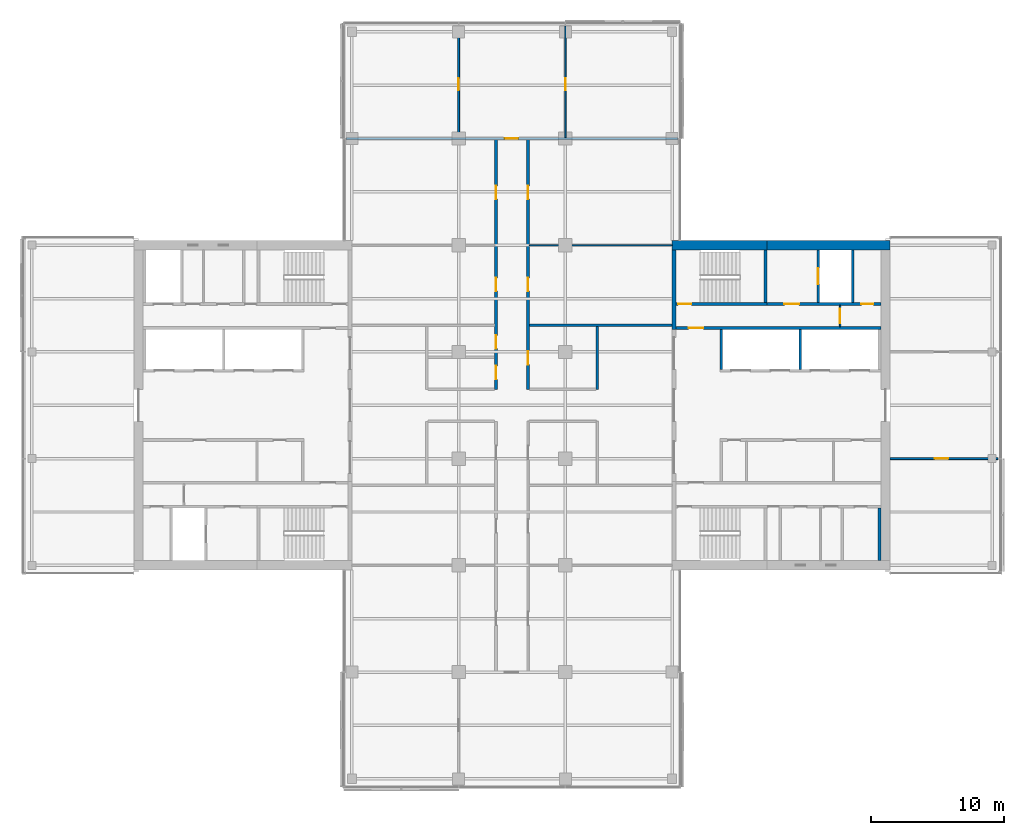
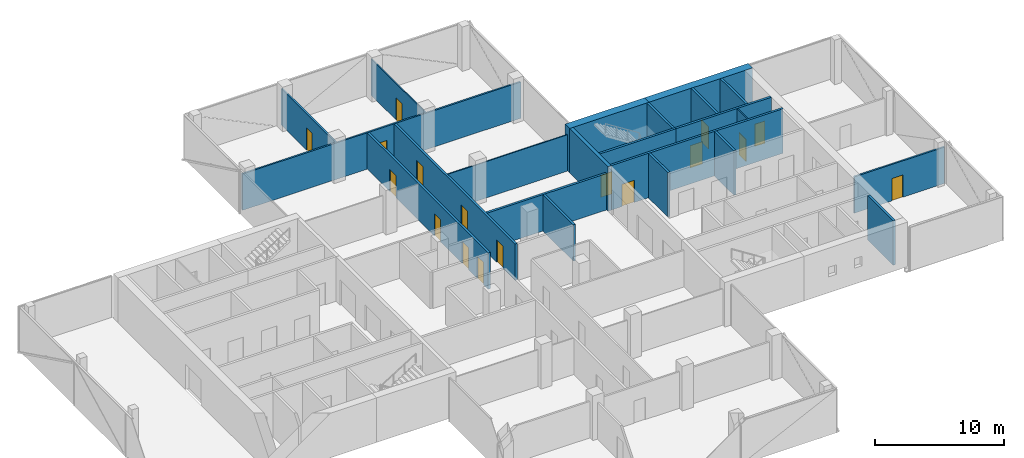
# One storey, part 16 of 22: 22 walls, 17 doors, 17 openings.
"""IFC4 building model written with IfcOpenShell, lengths in metres."""

import ifcopenshell
import ifcopenshell.guid

model = None  # the IFC model being written
_history = None  # IfcOwnerHistory: only IFC2X3 demands one
_inside = {}  # id of a spatial element -> (the spatial element, [elements in it])
_under = {}  # id of a project, library or spatial element -> (it, [spatial elements below it])
_declared = {}  # id of a project -> (the project, [libraries it declares])
_typed = {}  # id of a type object -> (the type object, [elements of that type])
_made_of = {}  # id of a material, layer set ... -> (it, [elements and type objects made of it])


def new_model(schema):
    """Start an empty IFC model of exactly this schema.

    Asked for "IFC4X3", IfcOpenShell would pick the latest addendum, in which some entities
    have other attributes; the version numbers below select the first issue.
    IFC2X3 requires an IfcOwnerHistory on every rooted entity: one is made here for all.
    """
    global model, _history
    if schema == "IFC4X3":
        model = ifcopenshell.file(schema_version=(4, 3, 0, 0))
    else:
        model = ifcopenshell.file(schema=schema)
    _inside.clear()
    _under.clear()
    _declared.clear()
    _typed.clear()
    _made_of.clear()
    _history = None
    if model.schema == "IFC2X3":
        org = make("IfcOrganization", Name="unknown")
        user = make(
            "IfcPersonAndOrganization",
            ThePerson=make("IfcPerson", FamilyName="unknown"),
            TheOrganization=org,
        )
        app = make(
            "IfcApplication",
            ApplicationDeveloper=org,
            Version="unknown",
            ApplicationFullName="unknown",
            ApplicationIdentifier="unknown",
        )
        _history = make(
            "IfcOwnerHistory",
            OwningUser=user,
            OwningApplication=app,
            ChangeAction="ADDED",
            CreationDate=0,
        )
    return model


def make(cls, **values):
    """One entity of the class cls with the attributes given. An attribute that is None is left unset."""
    return model.create_entity(
        cls, **{name: value for name, value in values.items() if value is not None}
    )


def rooted(cls, **values):
    """An entity with a GlobalId (a new one), such as an element, a storey or a relation."""
    return make(cls, GlobalId=ifcopenshell.guid.new(), OwnerHistory=_history, **values)


def si_unit(unit_type, name, prefix=None):
    """IfcSIUnit, for example si_unit("LENGTHUNIT", "METRE", prefix="MILLI")."""
    return make("IfcSIUnit", UnitType=unit_type, Prefix=prefix, Name=name)


def assignment(units):
    """IfcUnitAssignment: the units of a project."""
    return None if units is None else make("IfcUnitAssignment", Units=units)


def point(xyz):
    """IfcCartesianPoint."""
    return None if xyz is None else make("IfcCartesianPoint", Coordinates=xyz)


def direction(xyz):
    """IfcDirection."""
    return None if xyz is None else make("IfcDirection", DirectionRatios=xyz)


def frame(location, z_axis=None, x_axis=None):
    """IfcAxis2Placement3D, a coordinate frame: its origin and axes. An axis left out is left unset."""
    return make(
        "IfcAxis2Placement3D",
        Location=point(location),
        Axis=direction(z_axis),
        RefDirection=direction(x_axis),
    )


def frame_2d(location, x_axis=None):
    """IfcAxis2Placement2D, a coordinate frame in the plane: its origin and x axis."""
    return make(
        "IfcAxis2Placement2D", Location=point(location), RefDirection=direction(x_axis)
    )


def origin():
    """The frame at (0, 0, 0) with its axes left unset."""
    return frame((0.0, 0.0, 0.0))


def place(relative_to, where):
    """IfcLocalPlacement: puts the frame where relative to a parent placement (None: the world)."""
    return make(
        "IfcLocalPlacement", PlacementRelTo=relative_to, RelativePlacement=where
    )


def context(
    kind, dimensions, precision=None, world=None, true_north=None, identifier=None
):
    """IfcGeometricRepresentationContext, for example the 3D "Model" context."""
    return make(
        "IfcGeometricRepresentationContext",
        ContextIdentifier=identifier,
        ContextType=kind,
        CoordinateSpaceDimension=dimensions,
        Precision=precision,
        WorldCoordinateSystem=world,
        TrueNorth=true_north,
    )


def subcontext(parent, identifier, kind, view, scale=None):
    """IfcGeometricRepresentationSubContext, for example "Body" below "Model"."""
    return make(
        "IfcGeometricRepresentationSubContext",
        ContextIdentifier=identifier,
        ContextType=kind,
        ParentContext=parent,
        TargetScale=scale,
        TargetView=view,
    )


def project(units=None, contexts=None):
    """IfcProject with its units and contexts."""
    return rooted(
        "IfcProject",
        Name="project",
        RepresentationContexts=contexts,
        UnitsInContext=assignment(units),
    )


def spatial(cls, under=None, at=None, **own):
    """A site, building, storey or space (cls), placed at a placement, below another one or the project."""
    s = rooted(cls, ObjectPlacement=at, **own)
    if under is not None:
        _under.setdefault(under.id(), (under, []))[1].append(s)
    return s


def profile(cls, at=None, kind="AREA", **sizes):
    """A parametric profile (cls). Its sizes go by their IFC names, for example OverallWidth=200.0."""
    return make(cls, ProfileType=kind, Position=at, **sizes)


def rectangle(**sizes):
    """IfcRectangleProfileDef."""
    return profile("IfcRectangleProfileDef", **sizes)


def extrude(swept, where, along, depth):
    """IfcExtrudedAreaSolid: the profile swept, set in the frame where, extruded along a direction by depth."""
    return make(
        "IfcExtrudedAreaSolid",
        SweptArea=swept,
        Position=where,
        ExtrudedDirection=direction(along),
        Depth=depth,
    )


def shape(context_of_items, identifier, shape_type, items):
    """IfcShapeRepresentation: the items that make up one representation, for example the "Body"."""
    return make(
        "IfcShapeRepresentation",
        ContextOfItems=context_of_items,
        RepresentationIdentifier=identifier,
        RepresentationType=shape_type,
        Items=items,
    )


def material(Name=None, Category=None):
    """IfcMaterial."""
    return make("IfcMaterial", Name=Name, Category=Category)


def layer(
    of_material, thickness, ventilated=None, Name=None, Category=None, Priority=None
):
    """IfcMaterialLayer: one layer of a wall or slab, of a material (None: an air gap)."""
    return make(
        "IfcMaterialLayer",
        Material=of_material,
        LayerThickness=thickness,
        IsVentilated=ventilated,
        Name=Name,
        Category=Category,
        Priority=Priority,
    )


def layer_set(layers, Name=None):
    """IfcMaterialLayerSet."""
    return make("IfcMaterialLayerSet", MaterialLayers=layers, LayerSetName=Name)


def constituent(of_material, Name=None, Category=None, fraction=None):
    """IfcMaterialConstituent: one of the materials an element consists of."""
    return make(
        "IfcMaterialConstituent",
        Name=Name,
        Material=of_material,
        Fraction=fraction,
        Category=Category,
    )


def constituent_set(constituents=None, Name=None):
    """IfcMaterialConstituentSet."""
    return make(
        "IfcMaterialConstituentSet", Name=Name, MaterialConstituents=constituents
    )


def made_of(thing, what):
    """Note that an element or type object is made of a material, layer set ...; save() writes the relation."""
    if what is not None:
        _made_of.setdefault(what.id(), (what, []))[1].append(thing)
    return thing


def type_object(cls, material=None, **own):
    """A type object (cls), such as IfcWallType, which elements share."""
    return made_of(rooted(cls, **own), material)


def element(
    cls,
    number,
    at=None,
    inside=None,
    cuts=None,
    type_object=None,
    material=None,
    context=None,
    identifier="Body",
    shape_type=None,
    held_by="IfcProductDefinitionShape",
    body=None,
    shapes=None,
    **own,
):
    """One element of the class cls, such as IfcWall. Its Tag is "e" and its number.

    at: its placement. inside: the storey or other place that contains it. cuts: it is an
    opening in that element (IfcRelVoidsElement). A single representation is given by context,
    identifier, shape_type and body (its items); several are given by shapes. held_by: the class
    of the entity that holds the representations. save() writes the other relations.
    """
    e = rooted(cls, Tag="e%d" % number, ObjectPlacement=at, **own)
    if body is not None:
        shapes = [shape(context, identifier, shape_type, body)]
    if shapes is not None:
        e.Representation = make(held_by, Representations=shapes)
    if inside is not None:
        _inside.setdefault(inside.id(), (inside, []))[1].append(e)
    if cuts is not None:
        rooted(
            "IfcRelVoidsElement", RelatingBuildingElement=cuts, RelatedOpeningElement=e
        )
    if type_object is not None:
        _typed.setdefault(type_object.id(), (type_object, []))[1].append(e)
    return made_of(e, material)


def fill(opening, filler):
    """IfcRelFillsElement: the door or window that sits in an opening."""
    return rooted(
        "IfcRelFillsElement",
        RelatingOpeningElement=opening,
        RelatedBuildingElement=filler,
    )


def aggregate(whole, parts):
    """IfcRelAggregates: a whole, such as a stair, and the parts it consists of."""
    return rooted("IfcRelAggregates", RelatingObject=whole, RelatedObjects=parts)


def save(model, path):
    """Write the relations noted so far, then the file.

    IfcRelAggregates (storeys below a building ...), IfcRelContainedInSpatialStructure (elements
    in a storey), IfcRelDefinesByType, IfcRelAssociatesMaterial and IfcRelDeclares: one each for
    every whole, place, type object, material and project.
    """
    for whole, parts in _under.values():
        aggregate(whole, parts)
    for where, things in _inside.values():
        rooted(
            "IfcRelContainedInSpatialStructure",
            RelatedElements=things,
            RelatingStructure=where,
        )
    for kind, things in _typed.values():
        rooted("IfcRelDefinesByType", RelatedObjects=things, RelatingType=kind)
    for what, things in _made_of.values():
        rooted("IfcRelAssociatesMaterial", RelatedObjects=things, RelatingMaterial=what)
    for by, libraries in _declared.values():
        rooted("IfcRelDeclares", RelatingContext=by, RelatedDefinitions=libraries)
    model.write(path)


model = new_model("IFC4")

# Units and contexts
model_context = context("Model", 3, precision=1e-05, world=origin(), true_north=direction((0.0, 1.0)))
body_context = subcontext(model_context, "Body", "Model", "MODEL_VIEW")
ifc_project = project(units=[si_unit("LENGTHUNIT", "METRE"), si_unit("AREAUNIT", "SQUARE_METRE"), si_unit("VOLUMEUNIT", "CUBIC_METRE"), si_unit("PLANEANGLEUNIT", "RADIAN"), si_unit("MASSUNIT", "GRAM", prefix="KILO")], contexts=[model_context])

# Site, building, storey
site_placement = place(None, origin())
site = spatial("IfcSite", under=ifc_project, at=site_placement, CompositionType="ELEMENT")
building_placement = place(site_placement, origin())
building = spatial("IfcBuilding", under=site, at=building_placement, Name="Crosswind Convention Tower", CompositionType="ELEMENT")
storey_placement = place(building_placement, frame((0.0, 0.0, 133.699951171875)))
storey = spatial("IfcBuildingStorey", under=building, at=storey_placement, Name="L27", CompositionType="ELEMENT", Elevation=133.699951171875)

# Wall, openings, doors
ifc_material_1 = material(Name="Concrete blockwork", Category="masonry")
ifc_layer_1 = layer(ifc_material_1, 0.199951171875)
ifc_layer_set_1 = layer_set([ifc_layer_1], Name="COMPARTMENT WALL 200 BLOCKWORK")
wall_type_1 = type_object("IfcWallType", Name="COMPARTMENT WALL 200 BLOCKWORK", PredefinedType="SOLIDWALL", material=ifc_layer_set_1)
wall_1_placement = place(storey_placement, frame((123.800048828125, 101.199951171875, 0.0), z_axis=(0.0, 0.0, 1.0), x_axis=(0.0, 1.0, 0.0)))
wall_1 = element("IfcWall", 1, at=wall_1_placement, inside=storey, type_object=wall_type_1, Name="Compartment wall WT42", PredefinedType="SOLIDWALL", context=body_context, shape_type="SweptSolid", body=[
    extrude(rectangle(XDim=18.72509765625, YDim=0.199951171875, at=frame_2d((9.362548828125, 0.0))), origin(), (0.0, 0.0, 1.0), 3.4365234375),
])
opening_1_placement = place(wall_1_placement, frame((0.75, 0.0, 0.0)))
opening_1 = element("IfcOpeningElement", 2, at=opening_1_placement, cuts=wall_1, Name="Opening L27-56", PredefinedType="OPENING", context=body_context, shape_type="SweptSolid", body=[
    extrude(rectangle(XDim=1.0, YDim=2.10009765625, at=frame_2d((0.5, 1.050048828125))), frame((0.0, 0.10986328125, 0.0), z_axis=(0.0, -1.0, 0.0), x_axis=(1.0, 0.0, 0.0)), (0.0, 0.0, 1.0), 0.219970703125),
])
opening_2_placement = place(wall_1_placement, frame((3.050048828125, 0.0, 0.0)))
opening_2 = element("IfcOpeningElement", 3, at=opening_2_placement, cuts=wall_1, Name="Opening L27-57", PredefinedType="OPENING", context=body_context, shape_type="SweptSolid", body=[
    extrude(rectangle(XDim=1.0, YDim=2.10009765625, at=frame_2d((0.5, 1.050048828125))), frame((0.0, 0.10986328125, 0.0), z_axis=(0.0, -1.0, 0.0), x_axis=(1.0, 0.0, 0.0)), (0.0, 0.0, 1.0), 0.219970703125),
])
opening_3_placement = place(wall_1_placement, frame((7.35009765625, 0.0, 0.0)))
opening_3 = element("IfcOpeningElement", 4, at=opening_3_placement, cuts=wall_1, Name="Opening L27-58", PredefinedType="OPENING", context=body_context, shape_type="SweptSolid", body=[
    extrude(rectangle(XDim=1.0, YDim=2.10009765625, at=frame_2d((0.5, 1.050048828125))), frame((0.0, 0.10986328125, 0.0), z_axis=(0.0, -1.0, 0.0), x_axis=(1.0, 0.0, 0.0)), (0.0, 0.0, 1.0), 0.219970703125),
])
opening_4_placement = place(wall_1_placement, frame((14.25, 0.0, 0.0)))
opening_4 = element("IfcOpeningElement", 5, at=opening_4_placement, cuts=wall_1, Name="Opening L27-59", PredefinedType="OPENING", context=body_context, shape_type="SweptSolid", body=[
    extrude(rectangle(XDim=1.0, YDim=2.10009765625, at=frame_2d((0.5, 1.050048828125))), frame((0.0, 0.10986328125, 0.0), z_axis=(0.0, -1.0, 0.0), x_axis=(1.0, 0.0, 0.0)), (0.0, 0.0, 1.0), 0.219970703125),
])
ifc_material_2 = material(Name="Steel fire door", Category="steel")
door_type_1 = type_object("IfcDoorType", Name="PLANT ROOM DOOR 1000X2100 FD60", OperationType="NOTDEFINED", PredefinedType="DOOR", material=ifc_material_2)
door_1_placement = place(opening_1_placement, origin())
door_1 = element("IfcDoor", 6, at=door_1_placement, inside=storey, type_object=door_type_1, Name="Door L27-56", ObjectType="D43", OperationType="SINGLE_SWING_RIGHT", OverallHeight=2.10009765625, OverallWidth=1.0, PredefinedType="DOOR", context=body_context, shape_type="SweptSolid", body=[
    extrude(rectangle(XDim=1.0, YDim=2.10009765625, at=frame_2d((0.5, 1.050048828125))), frame((0.0, 0.02490234375, 0.0), z_axis=(0.0, -1.0, 0.0), x_axis=(1.0, 0.0, 0.0)), (0.0, 0.0, 1.0), 0.050048828125),
])
fill(opening_1, door_1)
ifc_material_3 = material(Name="Timber fire door", Category="wood")
door_type_2 = type_object("IfcDoorType", Name="TENANCY ENTRANCE DOOR 1000X2100 FD30S", OperationType="NOTDEFINED", PredefinedType="DOOR", material=ifc_material_3)
door_2_placement = place(opening_2_placement, origin())
door_2 = element("IfcDoor", 7, at=door_2_placement, inside=storey, type_object=door_type_2, Name="Door L27-57", ObjectType="D41", OperationType="SINGLE_SWING_LEFT", OverallHeight=2.10009765625, OverallWidth=1.0, PredefinedType="DOOR", context=body_context, shape_type="SweptSolid", body=[
    extrude(rectangle(XDim=1.0, YDim=2.10009765625, at=frame_2d((0.5, 1.050048828125))), frame((0.0, 0.02490234375, 0.0), z_axis=(0.0, -1.0, 0.0), x_axis=(1.0, 0.0, 0.0)), (0.0, 0.0, 1.0), 0.050048828125),
])
fill(opening_2, door_2)
door_3_placement = place(opening_3_placement, origin())
door_3 = element("IfcDoor", 8, at=door_3_placement, inside=storey, type_object=door_type_2, Name="Door L27-58", ObjectType="D41", OperationType="SINGLE_SWING_RIGHT", OverallHeight=2.10009765625, OverallWidth=1.0, PredefinedType="DOOR", context=body_context, shape_type="SweptSolid", body=[
    extrude(rectangle(XDim=1.0, YDim=2.10009765625, at=frame_2d((0.5, 1.050048828125))), frame((0.0, 0.02490234375, 0.0), z_axis=(0.0, -1.0, 0.0), x_axis=(1.0, 0.0, 0.0)), (0.0, 0.0, 1.0), 0.050048828125),
])
fill(opening_3, door_3)
door_4_placement = place(opening_4_placement, origin())
door_4 = element("IfcDoor", 9, at=door_4_placement, inside=storey, type_object=door_type_2, Name="Door L27-59", ObjectType="D41", OperationType="SINGLE_SWING_LEFT", OverallHeight=2.10009765625, OverallWidth=1.0, PredefinedType="DOOR", context=body_context, shape_type="SweptSolid", body=[
    extrude(rectangle(XDim=1.0, YDim=2.10009765625, at=frame_2d((0.5, 1.050048828125))), frame((0.0, 0.02490234375, 0.0), z_axis=(0.0, -1.0, 0.0), x_axis=(1.0, 0.0, 0.0)), (0.0, 0.0, 1.0), 0.050048828125),
])
fill(opening_4, door_4)

wall_2_placement = place(storey_placement, frame((126.199951171875, 101.199951171875, 0.0), z_axis=(0.0, 0.0, 1.0), x_axis=(0.0, 1.0, 0.0)))
wall_2 = element("IfcWall", 10, at=wall_2_placement, inside=storey, type_object=wall_type_1, Name="Compartment wall WT42", PredefinedType="SOLIDWALL", context=body_context, shape_type="SweptSolid", body=[
    extrude(rectangle(XDim=18.72509765625, YDim=0.199951171875, at=frame_2d((9.362548828125, 0.0))), origin(), (0.0, 0.0, 1.0), 3.4365234375),
])
opening_5_placement = place(wall_2_placement, frame((1.85009765625, 0.0, 0.0)))
opening_5 = element("IfcOpeningElement", 11, at=opening_5_placement, cuts=wall_2, Name="Opening L27-50", PredefinedType="OPENING", context=body_context, shape_type="SweptSolid", body=[
    extrude(rectangle(XDim=1.0, YDim=2.10009765625, at=frame_2d((0.5, 1.050048828125))), frame((0.0, 0.10986328125, 0.0), z_axis=(0.0, -1.0, 0.0), x_axis=(1.0, 0.0, 0.0)), (0.0, 0.0, 1.0), 0.219970703125),
])
opening_6_placement = place(wall_2_placement, frame((7.35009765625, 0.0, 0.0)))
opening_6 = element("IfcOpeningElement", 12, at=opening_6_placement, cuts=wall_2, Name="Opening L27-51", PredefinedType="OPENING", context=body_context, shape_type="SweptSolid", body=[
    extrude(rectangle(XDim=1.0, YDim=2.10009765625, at=frame_2d((0.5, 1.050048828125))), frame((0.0, 0.10986328125, 0.0), z_axis=(0.0, -1.0, 0.0), x_axis=(1.0, 0.0, 0.0)), (0.0, 0.0, 1.0), 0.219970703125),
])
opening_7_placement = place(wall_2_placement, frame((14.25, 0.0, 0.0)))
opening_7 = element("IfcOpeningElement", 13, at=opening_7_placement, cuts=wall_2, Name="Opening L27-52", PredefinedType="OPENING", context=body_context, shape_type="SweptSolid", body=[
    extrude(rectangle(XDim=1.0, YDim=2.10009765625, at=frame_2d((0.5, 1.050048828125))), frame((0.0, 0.10986328125, 0.0), z_axis=(0.0, -1.0, 0.0), x_axis=(1.0, 0.0, 0.0)), (0.0, 0.0, 1.0), 0.219970703125),
])
door_5_placement = place(opening_5_placement, frame((1.0, 0.0, 0.0), z_axis=(0.0, 0.0, 1.0), x_axis=(-1.0, 0.0, 0.0)))
door_5 = element("IfcDoor", 14, at=door_5_placement, inside=storey, type_object=door_type_1, Name="Door L27-50", ObjectType="D43", OperationType="SINGLE_SWING_RIGHT", OverallHeight=2.10009765625, OverallWidth=1.0, PredefinedType="DOOR", context=body_context, shape_type="SweptSolid", body=[
    extrude(rectangle(XDim=1.0, YDim=2.10009765625, at=frame_2d((0.5, 1.050048828125))), frame((0.0, 0.02490234375, 0.0), z_axis=(0.0, -1.0, 0.0), x_axis=(1.0, 0.0, 0.0)), (0.0, 0.0, 1.0), 0.050048828125),
])
fill(opening_5, door_5)
door_6_placement = place(opening_6_placement, origin())
door_6 = element("IfcDoor", 15, at=door_6_placement, inside=storey, type_object=door_type_2, Name="Door L27-51", ObjectType="D41", OperationType="SINGLE_SWING_RIGHT", OverallHeight=2.10009765625, OverallWidth=1.0, PredefinedType="DOOR", context=body_context, shape_type="SweptSolid", body=[
    extrude(rectangle(XDim=1.0, YDim=2.10009765625, at=frame_2d((0.5, 1.050048828125))), frame((0.0, 0.02490234375, 0.0), z_axis=(0.0, -1.0, 0.0), x_axis=(1.0, 0.0, 0.0)), (0.0, 0.0, 1.0), 0.050048828125),
])
fill(opening_6, door_6)
door_7_placement = place(opening_7_placement, frame((1.0, 0.0, 0.0), z_axis=(0.0, 0.0, 1.0), x_axis=(-1.0, 0.0, 0.0)))
door_7 = element("IfcDoor", 16, at=door_7_placement, inside=storey, type_object=door_type_2, Name="Door L27-52", ObjectType="D41", OperationType="SINGLE_SWING_RIGHT", OverallHeight=2.10009765625, OverallWidth=1.0, PredefinedType="DOOR", context=body_context, shape_type="SweptSolid", body=[
    extrude(rectangle(XDim=1.0, YDim=2.10009765625, at=frame_2d((0.5, 1.050048828125))), frame((0.0, 0.02490234375, 0.0), z_axis=(0.0, -1.0, 0.0), x_axis=(1.0, 0.0, 0.0)), (0.0, 0.0, 1.0), 0.050048828125),
])
fill(opening_7, door_7)

# Walls
wall_3_placement = place(storey_placement, frame((131.39990234375, 101.199951171875, 0.0), z_axis=(0.0, 0.0, 1.0), x_axis=(0.0, 1.0, 0.0)))
element("IfcWall", 17, at=wall_3_placement, inside=storey, type_object=wall_type_1, Name="Compartment wall WT42", PredefinedType="SOLIDWALL", context=body_context, shape_type="SweptSolid", body=[
    extrude(rectangle(XDim=4.699951171875, YDim=0.199951171875, at=frame_2d((2.35009765625, 0.0))), origin(), (0.0, 0.0, 1.0), 3.4365234375),
])
wall_4_placement = place(storey_placement, frame((126.300048828125, 106.0, 0.0), z_axis=(0.0, 0.0, 1.0), x_axis=(1.0, 0.0, 0.0)))
element("IfcWall", 18, at=wall_4_placement, inside=storey, type_object=wall_type_1, Name="Compartment wall WT42", PredefinedType="SOLIDWALL", context=body_context, shape_type="SweptSolid", body=[
    extrude(rectangle(XDim=10.699951171875, YDim=0.199951171875, at=frame_2d((5.35009765625, 0.0))), origin(), (0.0, 0.0, 1.0), 3.4365234375),
])
ifc_material_4 = material(Name="Concrete C50/60", Category="concrete")
ifc_layer_2 = layer(ifc_material_4, 0.300048828125)
ifc_layer_set_2 = layer_set([ifc_layer_2], Name="Concrete C50/60")
wall_type_2 = type_object("IfcWallType", Name="Concrete inner core wall 300", PredefinedType="SHEAR", material=ifc_layer_set_2)
wall_5_placement = place(storey_placement, frame((137.14990234375, 105.699951171875, 0.0), z_axis=(0.0, 0.0, 1.0), x_axis=(0.0, 1.0, 0.0)))
element("IfcWall", 19, at=wall_5_placement, inside=storey, type_object=wall_type_2, Name="Wall EP E L27", PredefinedType="SHEAR", context=body_context, shape_type="SweptSolid", body=[
    extrude(rectangle(XDim=5.949951171875, YDim=0.300048828125, at=frame_2d((2.97509765625, 0.0))), origin(), (0.0, 0.0, 1.0), 4.199951171875),
])
ifc_layer_3 = layer(ifc_material_4, 0.199951171875)
ifc_layer_set_3 = layer_set([ifc_layer_3], Name="Concrete C50/60")
wall_type_3 = type_object("IfcWallType", Name="Concrete shaft and stair wall 200", PredefinedType="SHEAR", material=ifc_layer_set_3)
for number, where, z_axis, x_axis, name in (
    (20, (140.699951171875, 102.699951171875, 0.0), (0.0, 0.0, 1.0), (0.0, 1.0, 0.0), "Wall RPEND E L27"),
    (21, (146.60009765625, 102.699951171875, 0.0), (0.0, 0.0, 1.0), (0.0, 1.0, 0.0), "Wall RPSEP E L27"),
):
    element("IfcWall", number, at=place(storey_placement, frame(where, z_axis=z_axis, x_axis=x_axis)), inside=storey, type_object=wall_type_3, Name=name, PredefinedType="SHEAR", context=body_context, shape_type="SweptSolid", body=[
        extrude(rectangle(XDim=3.0, YDim=0.199951171875, at=frame_2d((1.5, 0.0))), origin(), (0.0, 0.0, 1.0), 4.199951171875),
    ])

# Wall, opening, door
wall_6_placement = place(storey_placement, frame((137.300048828125, 105.800048828125, 0.0), z_axis=(0.0, 0.0, 1.0), x_axis=(1.0, 0.0, 0.0)))
wall_6 = element("IfcWall", 22, at=wall_6_placement, inside=storey, type_object=wall_type_3, Name="Wall HP E L27", PredefinedType="SHEAR", context=body_context, shape_type="SweptSolid", body=[
    extrude(rectangle(XDim=15.349853515625, YDim=0.199951171875, at=frame_2d((7.6748046875, 0.0))), origin(), (0.0, 0.0, 1.0), 4.199951171875),
])
opening_8_placement = place(wall_6_placement, frame((0.949951171875, 0.0, 0.0)))
opening_8 = element("IfcOpeningElement", 23, at=opening_8_placement, cuts=wall_6, Name="Opening D104", PredefinedType="OPENING", context=body_context, shape_type="SweptSolid", body=[
    extrude(rectangle(XDim=1.10009765625, YDim=2.10009765625, at=frame_2d((0.550048828125, 1.050048828125))), frame((0.0, 0.10986328125, 0.0), z_axis=(0.0, -1.0, 0.0), x_axis=(1.0, 0.0, 0.0)), (0.0, 0.0, 1.0), 0.219970703125),
])
door_type_3 = type_object("IfcDoorType", Name="Fire-rated single door 1100x2100", OperationType="NOTDEFINED", PredefinedType="DOOR", material=ifc_material_2)
door_8_placement = place(opening_8_placement, origin())
door_8 = element("IfcDoor", 24, at=door_8_placement, inside=storey, type_object=door_type_3, Name="Corridor door L27", ObjectType="D104", OperationType="SINGLE_SWING_LEFT", OverallHeight=2.10009765625, OverallWidth=1.10009765625, PredefinedType="DOOR", context=body_context, shape_type="SweptSolid", body=[
    extrude(rectangle(XDim=1.10009765625, YDim=2.10009765625, at=frame_2d((0.550048828125, 1.050048828125))), frame((0.0, 0.02490234375, 0.0), z_axis=(0.0, -1.0, 0.0), x_axis=(1.0, 0.0, 0.0)), (0.0, 0.0, 1.0), 0.050048828125),
])
fill(opening_8, door_8)

# Wall
wall_7_placement = place(storey_placement, frame((144.0, 107.699951171875, 0.0), z_axis=(0.0, 0.0, 1.0), x_axis=(0.0, 1.0, 0.0)))
element("IfcWall", 25, at=wall_7_placement, inside=storey, type_object=wall_type_3, Name="Wall PSE E L27", PredefinedType="SHEAR", context=body_context, shape_type="SweptSolid", body=[
    extrude(rectangle(XDim=3.949951171875, YDim=0.199951171875, at=frame_2d((1.97509765625, 0.0))), origin(), (0.0, 0.0, 1.0), 4.199951171875),
])

# Wall, opening, door
wall_8_placement = place(storey_placement, frame((147.949951171875, 107.699951171875, 0.0), z_axis=(0.0, 0.0, 1.0), x_axis=(0.0, 1.0, 0.0)))
wall_8 = element("IfcWall", 26, at=wall_8_placement, inside=storey, type_object=wall_type_3, Name="Wall PFLW E L27", PredefinedType="SHEAR", context=body_context, shape_type="SweptSolid", body=[
    extrude(rectangle(XDim=3.949951171875, YDim=0.199951171875, at=frame_2d((1.97509765625, 0.0))), origin(), (0.0, 0.0, 1.0), 4.199951171875),
])
opening_9_placement = place(wall_8_placement, frame((1.375, 0.0, 0.0)))
opening_9 = element("IfcOpeningElement", 27, at=opening_9_placement, cuts=wall_8, Name="Opening LD1", PredefinedType="OPENING", context=body_context, shape_type="SweptSolid", body=[
    extrude(rectangle(XDim=1.199951171875, YDim=2.10009765625, at=frame_2d((0.60009765625, 1.050048828125))), frame((0.0, 0.10986328125, 0.0), z_axis=(0.0, -1.0, 0.0), x_axis=(1.0, 0.0, 0.0)), (0.0, 0.0, 1.0), 0.219970703125),
])
ifc_material_5 = material(Name="Stainless steel", Category="steel")
door_type_4 = type_object("IfcDoorType", Name="Lift landing door 1200x2100", OperationType="DOUBLE_DOOR_SLIDING", PredefinedType="DOOR", material=ifc_material_5)
door_9_placement = place(opening_9_placement, origin())
door_9 = element("IfcDoor", 28, at=door_9_placement, inside=storey, type_object=door_type_4, Name="Landing door FF1 L27", ObjectType="LD1", OperationType="DOUBLE_DOOR_SLIDING", OverallHeight=2.10009765625, OverallWidth=1.199951171875, PredefinedType="DOOR", context=body_context, shape_type="SweptSolid", body=[
    extrude(rectangle(XDim=1.199951171875, YDim=2.10009765625, at=frame_2d((0.60009765625, 1.050048828125))), frame((0.0, 0.02490234375, 0.0), z_axis=(0.0, -1.0, 0.0), x_axis=(1.0, 0.0, 0.0)), (0.0, 0.0, 1.0), 0.050048828125),
])
fill(opening_9, door_9)

# Wall
wall_9_placement = place(storey_placement, frame((150.550048828125, 107.699951171875, 0.0), z_axis=(0.0, 0.0, 1.0), x_axis=(0.0, 1.0, 0.0)))
element("IfcWall", 29, at=wall_9_placement, inside=storey, type_object=wall_type_3, Name="Wall PFSE E L27", PredefinedType="SHEAR", context=body_context, shape_type="SweptSolid", body=[
    extrude(rectangle(XDim=3.949951171875, YDim=0.199951171875, at=frame_2d((1.97509765625, 0.0))), origin(), (0.0, 0.0, 1.0), 4.199951171875),
])

# Wall, opening, door
wall_10_placement = place(storey_placement, frame((137.300048828125, 107.60009765625, 0.0), z_axis=(0.0, 0.0, 1.0), x_axis=(1.0, 0.0, 0.0)))
wall_10 = element("IfcWall", 30, at=wall_10_placement, inside=storey, type_object=wall_type_3, Name="Wall PCW E L27", PredefinedType="SHEAR", context=body_context, shape_type="SweptSolid", body=[
    extrude(rectangle(XDim=6.800048828125, YDim=0.199951171875, at=frame_2d((3.39990234375, 0.0))), origin(), (0.0, 0.0, 1.0), 4.199951171875),
])
opening_10_placement = place(wall_10_placement, frame((0.14990234375, 0.0, 0.0)))
opening_10 = element("IfcOpeningElement", 31, at=opening_10_placement, cuts=wall_10, Name="Opening D103", PredefinedType="OPENING", context=body_context, shape_type="SweptSolid", body=[
    extrude(rectangle(XDim=1.0, YDim=2.10009765625, at=frame_2d((0.5, 1.050048828125))), frame((0.0, 0.10986328125, 0.0), z_axis=(0.0, -1.0, 0.0), x_axis=(1.0, 0.0, 0.0)), (0.0, 0.0, 1.0), 0.219970703125),
])
door_type_5 = type_object("IfcDoorType", Name="Fire-rated single door 1000x2100", OperationType="NOTDEFINED", PredefinedType="DOOR", material=ifc_material_2)
door_10_placement = place(opening_10_placement, origin())
door_10 = element("IfcDoor", 32, at=door_10_placement, inside=storey, type_object=door_type_5, Name="Stair ST1 door L27", ObjectType="D103", OperationType="SINGLE_SWING_LEFT", OverallHeight=2.10009765625, OverallWidth=1.0, PredefinedType="DOOR", context=body_context, shape_type="SweptSolid", body=[
    extrude(rectangle(XDim=1.0, YDim=2.10009765625, at=frame_2d((0.5, 1.050048828125))), frame((0.0, 0.02490234375, 0.0), z_axis=(0.0, -1.0, 0.0), x_axis=(1.0, 0.0, 0.0)), (0.0, 0.0, 1.0), 0.050048828125),
])
fill(opening_10, door_10)

# Wall, openings, doors
wall_11_placement = place(storey_placement, frame((144.10009765625, 107.60009765625, 0.0), z_axis=(0.0, 0.0, 1.0), x_axis=(1.0, 0.0, 0.0)))
wall_11 = element("IfcWall", 33, at=wall_11_placement, inside=storey, type_object=wall_type_3, Name="Wall PCX E L27", PredefinedType="SHEAR", context=body_context, shape_type="SweptSolid", body=[
    extrude(rectangle(XDim=8.5498046875, YDim=0.199951171875, at=frame_2d((4.27490234375, 0.0))), origin(), (0.0, 0.0, 1.0), 4.199951171875),
])
opening_11_placement = place(wall_11_placement, frame((1.324951171875, 0.0, 0.0)))
opening_11 = element("IfcOpeningElement", 34, at=opening_11_placement, cuts=wall_11, Name="Opening D104", PredefinedType="OPENING", context=body_context, shape_type="SweptSolid", body=[
    extrude(rectangle(XDim=1.10009765625, YDim=2.10009765625, at=frame_2d((0.550048828125, 1.050048828125))), frame((0.0, 0.10986328125, 0.0), z_axis=(0.0, -1.0, 0.0), x_axis=(1.0, 0.0, 0.0)), (0.0, 0.0, 1.0), 0.219970703125),
])
opening_12_placement = place(wall_11_placement, frame((7.10009765625, 0.0, 0.0)))
opening_12 = element("IfcOpeningElement", 35, at=opening_12_placement, cuts=wall_11, Name="Opening D106", PredefinedType="OPENING", context=body_context, shape_type="SweptSolid", body=[
    extrude(rectangle(XDim=0.89990234375, YDim=2.10009765625, at=frame_2d((0.449951171875, 1.050048828125))), frame((0.0, 0.10986328125, 0.0), z_axis=(0.0, -1.0, 0.0), x_axis=(1.0, 0.0, 0.0)), (0.0, 0.0, 1.0), 0.219970703125),
])
door_11_placement = place(opening_11_placement, origin())
door_11 = element("IfcDoor", 36, at=door_11_placement, inside=storey, type_object=door_type_3, Name="Fire-fighting lobby FF1 door L27", ObjectType="D104", OperationType="SINGLE_SWING_RIGHT", OverallHeight=2.10009765625, OverallWidth=1.10009765625, PredefinedType="DOOR", context=body_context, shape_type="SweptSolid", body=[
    extrude(rectangle(XDim=1.10009765625, YDim=2.10009765625, at=frame_2d((0.550048828125, 1.050048828125))), frame((0.0, 0.02490234375, 0.0), z_axis=(0.0, -1.0, 0.0), x_axis=(1.0, 0.0, 0.0)), (0.0, 0.0, 1.0), 0.050048828125),
])
fill(opening_11, door_11)
ifc_material_6 = material(Name="Timber door", Category="wood")
door_type_6 = type_object("IfcDoorType", Name="Single leaf door 900x2100", OperationType="NOTDEFINED", PredefinedType="DOOR", material=ifc_material_6)
door_12_placement = place(opening_12_placement, origin())
door_12 = element("IfcDoor", 37, at=door_12_placement, inside=storey, type_object=door_type_6, Name="Door to telecoms room L27", ObjectType="D106", OperationType="SINGLE_SWING_RIGHT", OverallHeight=2.10009765625, OverallWidth=0.89990234375, PredefinedType="DOOR", context=body_context, shape_type="SweptSolid", body=[
    extrude(rectangle(XDim=0.89990234375, YDim=2.10009765625, at=frame_2d((0.449951171875, 1.050048828125))), frame((0.0, 0.02490234375, 0.0), z_axis=(0.0, -1.0, 0.0), x_axis=(1.0, 0.0, 0.0)), (0.0, 0.0, 1.0), 0.050048828125),
])
fill(opening_12, door_12)

# Wall
wall_12_placement = place(storey_placement, frame((152.550048828125, 88.35009765625, 0.0), z_axis=(0.0, 0.0, 1.0), x_axis=(0.0, 1.0, 0.0)))
element("IfcWall", 38, at=wall_12_placement, inside=storey, type_object=wall_type_3, Name="Wall MFSE E L27", PredefinedType="SHEAR", context=body_context, shape_type="SweptSolid", body=[
    extrude(rectangle(XDim=3.949951171875, YDim=0.199951171875, at=frame_2d((1.97509765625, 0.0))), origin(), (0.0, 0.0, 1.0), 4.199951171875),
])

# Wall, opening, door
ifc_material_7 = material(Name="Gypsum plasterboard partition", Category="gypsum")
ifc_layer_4 = layer(ifc_material_7, 0.125)
ifc_layer_set_4 = layer_set([ifc_layer_4], Name="Drywall partition wall 125")
wall_type_4 = type_object("IfcWallType", Name="Drywall partition wall 125", PredefinedType="PARTITIONING", material=ifc_layer_set_4)
wall_13_placement = place(storey_placement, frame((149.60009765625, 105.89990234375, 0.0), z_axis=(0.0, 0.0, 1.0), x_axis=(0.0, 1.0, 0.0)))
wall_13 = element("IfcWall", 39, at=wall_13_placement, inside=storey, type_object=wall_type_4, Name="Wall PXC1 E L27", PredefinedType="PARTITIONING", context=body_context, shape_type="SweptSolid", body=[
    extrude(rectangle(XDim=1.60009765625, YDim=0.125, at=frame_2d((0.800048828125, 0.0))), origin(), (0.0, 0.0, 1.0), 4.199951171875),
])
opening_13_placement = place(wall_13_placement, frame((0.25, 0.0, 0.0)))
opening_13 = element("IfcOpeningElement", 40, at=opening_13_placement, cuts=wall_13, Name="Opening D104", PredefinedType="OPENING", context=body_context, shape_type="SweptSolid", body=[
    extrude(rectangle(XDim=1.10009765625, YDim=2.10009765625, at=frame_2d((0.550048828125, 1.050048828125))), frame((0.0, 0.072509765625, 0.0), z_axis=(0.0, -1.0, 0.0), x_axis=(1.0, 0.0, 0.0)), (0.0, 0.0, 1.0), 0.14501953125),
])
door_13_placement = place(opening_13_placement, origin())
door_13 = element("IfcDoor", 41, at=door_13_placement, inside=storey, type_object=door_type_3, Name="Corridor smoke door L27", ObjectType="D104", OperationType="SINGLE_SWING_RIGHT", OverallHeight=2.10009765625, OverallWidth=1.10009765625, PredefinedType="DOOR", context=body_context, shape_type="SweptSolid", body=[
    extrude(rectangle(XDim=1.10009765625, YDim=2.10009765625, at=frame_2d((0.550048828125, 1.050048828125))), frame((0.0, 0.02490234375, 0.0), z_axis=(0.0, -1.0, 0.0), x_axis=(1.0, 0.0, 0.0)), (0.0, 0.0, 1.0), 0.050048828125),
])
fill(opening_13, door_13)

ifc_material_8 = material(Name="Plasterboard partition", Category="gypsum")
ifc_layer_5 = layer(ifc_material_8, 0.10009765625)
ifc_layer_set_5 = layer_set([ifc_layer_5], Name="PARTITION 100 METAL STUD")
wall_type_5 = type_object("IfcWallType", Name="PARTITION 100 METAL STUD", PredefinedType="PARTITIONING", material=ifc_layer_set_5)
wall_14_placement = place(storey_placement, frame((129.0, 120.074951171875, 0.0), z_axis=(0.0, 0.0, 1.0), x_axis=(0.0, 1.0, 0.0)))
wall_14 = element("IfcWall", 42, at=wall_14_placement, inside=storey, type_object=wall_type_5, Name="Partition wall WT40", PredefinedType="PARTITIONING", context=body_context, shape_type="SweptSolid", body=[
    extrude(rectangle(XDim=8.344970703125, YDim=0.10009765625, at=frame_2d((4.17236328125, 0.0))), origin(), (0.0, 0.0, 1.0), 3.4365234375),
])
opening_14_placement = place(wall_14_placement, frame((3.550048828125, 0.0, 0.0)))
opening_14 = element("IfcOpeningElement", 43, at=opening_14_placement, cuts=wall_14, Name="Opening L27-65", PredefinedType="OPENING", context=body_context, shape_type="SweptSolid", body=[
    extrude(rectangle(XDim=0.89990234375, YDim=2.10009765625, at=frame_2d((0.449951171875, 1.050048828125))), frame((0.0, 0.06005859375, 0.0), z_axis=(0.0, -1.0, 0.0), x_axis=(1.0, 0.0, 0.0)), (0.0, 0.0, 1.0), 0.1201171875),
])
door_type_7 = type_object("IfcDoorType", Name="INTERNAL DOOR 900X2100", OperationType="NOTDEFINED", PredefinedType="DOOR", material=ifc_material_6)
door_14_placement = place(opening_14_placement, origin())
door_14 = element("IfcDoor", 44, at=door_14_placement, inside=storey, type_object=door_type_7, Name="Door L27-65", ObjectType="D40", OperationType="SINGLE_SWING_RIGHT", OverallHeight=2.10009765625, OverallWidth=0.89990234375, PredefinedType="DOOR", context=body_context, shape_type="SweptSolid", body=[
    extrude(rectangle(XDim=0.89990234375, YDim=2.10009765625, at=frame_2d((0.449951171875, 1.050048828125))), frame((0.0, 0.02490234375, 0.0), z_axis=(0.0, -1.0, 0.0), x_axis=(1.0, 0.0, 0.0)), (0.0, 0.0, 1.0), 0.050048828125),
])
fill(opening_14, door_14)

# Wall
wall_15_placement = place(storey_placement, frame((126.300048828125, 112.0, 0.0), z_axis=(0.0, 0.0, 1.0), x_axis=(1.0, 0.0, 0.0)))
element("IfcWall", 45, at=wall_15_placement, inside=storey, type_object=wall_type_5, Name="Partition wall WT40", PredefinedType="PARTITIONING", context=body_context, shape_type="SweptSolid", body=[
    extrude(rectangle(XDim=10.699951171875, YDim=0.10009765625, at=frame_2d((5.35009765625, 0.0))), origin(), (0.0, 0.0, 1.0), 3.4365234375),
])

# Wall, opening, door
ifc_material_9 = material(Name="Fire-board partition with mineral wool", Category="gypsum")
ifc_layer_6 = layer(ifc_material_9, 0.14990234375)
ifc_layer_set_6 = layer_set([ifc_layer_6], Name="TENANCY WALL 150 TWO-HOUR BOARD")
wall_type_6 = type_object("IfcWallType", Name="TENANCY WALL 150 TWO-HOUR BOARD", PredefinedType="PARTITIONING", material=ifc_layer_set_6)
wall_16_placement = place(storey_placement, frame((121.0, 120.074951171875, 0.0), z_axis=(0.0, 0.0, 1.0), x_axis=(0.0, 1.0, 0.0)))
wall_16 = element("IfcWall", 46, at=wall_16_placement, inside=storey, type_object=wall_type_6, Name="Tenancy wall WT41", PredefinedType="PARTITIONING", context=body_context, shape_type="SweptSolid", body=[
    extrude(rectangle(XDim=8.344970703125, YDim=0.14990234375, at=frame_2d((4.17236328125, 0.0))), origin(), (0.0, 0.0, 1.0), 3.4365234375),
])
opening_15_placement = place(wall_16_placement, frame((3.550048828125, 0.0, 0.0)))
opening_15 = element("IfcOpeningElement", 47, at=opening_15_placement, cuts=wall_16, Name="Opening L27-64", PredefinedType="OPENING", context=body_context, shape_type="SweptSolid", body=[
    extrude(rectangle(XDim=0.89990234375, YDim=2.10009765625, at=frame_2d((0.449951171875, 1.050048828125))), frame((0.0, 0.0849609375, 0.0), z_axis=(0.0, -1.0, 0.0), x_axis=(1.0, 0.0, 0.0)), (0.0, 0.0, 1.0), 0.169921875),
])
door_15_placement = place(opening_15_placement, frame((0.89990234375, 0.0, 0.0), z_axis=(0.0, 0.0, 1.0), x_axis=(-1.0, 0.0, 0.0)))
door_15 = element("IfcDoor", 48, at=door_15_placement, inside=storey, type_object=door_type_7, Name="Door L27-64", ObjectType="D40", OperationType="SINGLE_SWING_LEFT", OverallHeight=2.10009765625, OverallWidth=0.89990234375, PredefinedType="DOOR", context=body_context, shape_type="SweptSolid", body=[
    extrude(rectangle(XDim=0.89990234375, YDim=2.10009765625, at=frame_2d((0.449951171875, 1.050048828125))), frame((0.0, 0.02490234375, 0.0), z_axis=(0.0, -1.0, 0.0), x_axis=(1.0, 0.0, 0.0)), (0.0, 0.0, 1.0), 0.050048828125),
])
fill(opening_15, door_15)

wall_17_placement = place(storey_placement, frame((153.35009765625, 96.0, 0.0), z_axis=(0.0, 0.0, 1.0), x_axis=(1.0, 0.0, 0.0)))
wall_17 = element("IfcWall", 49, at=wall_17_placement, inside=storey, type_object=wall_type_6, Name="Tenancy wall WT41", PredefinedType="PARTITIONING", context=body_context, shape_type="SweptSolid", body=[
    extrude(rectangle(XDim=8.06982421875, YDim=0.14990234375, at=frame_2d((4.034912109375, 0.0))), origin(), (0.0, 0.0, 1.0), 3.4365234375),
])
opening_16_placement = place(wall_17_placement, frame((3.35009765625, 0.0, 0.0)))
opening_16 = element("IfcOpeningElement", 50, at=opening_16_placement, cuts=wall_17, Name="Opening L27-69", PredefinedType="OPENING", context=body_context, shape_type="SweptSolid", body=[
    extrude(rectangle(XDim=1.0, YDim=2.10009765625, at=frame_2d((0.5, 1.050048828125))), frame((0.0, 0.0849609375, 0.0), z_axis=(0.0, -1.0, 0.0), x_axis=(1.0, 0.0, 0.0)), (0.0, 0.0, 1.0), 0.169921875),
])
door_16_placement = place(opening_16_placement, frame((1.0, 0.0, 0.0), z_axis=(0.0, 0.0, 1.0), x_axis=(-1.0, 0.0, 0.0)))
door_16 = element("IfcDoor", 51, at=door_16_placement, inside=storey, type_object=door_type_2, Name="Door L27-69", ObjectType="D41", OperationType="SINGLE_SWING_LEFT", OverallHeight=2.10009765625, OverallWidth=1.0, PredefinedType="DOOR", context=body_context, shape_type="SweptSolid", body=[
    extrude(rectangle(XDim=1.0, YDim=2.10009765625, at=frame_2d((0.5, 1.050048828125))), frame((0.0, 0.02490234375, 0.0), z_axis=(0.0, -1.0, 0.0), x_axis=(1.0, 0.0, 0.0)), (0.0, 0.0, 1.0), 0.050048828125),
])
fill(opening_16, door_16)

wall_18_placement = place(storey_placement, frame((112.580078125, 120.0, 0.0), z_axis=(0.0, 0.0, 1.0), x_axis=(1.0, 0.0, 0.0)))
wall_18 = element("IfcWall", 52, at=wall_18_placement, inside=storey, type_object=wall_type_6, Name="Tenancy wall WT41", PredefinedType="PARTITIONING", context=body_context, shape_type="SweptSolid", body=[
    extrude(rectangle(XDim=24.83984375, YDim=0.14990234375, at=frame_2d((12.419921875, 0.0))), origin(), (0.0, 0.0, 1.0), 3.4365234375),
])
opening_17_placement = place(wall_18_placement, frame((11.8701171875, 0.0, 0.0)))
opening_17 = element("IfcOpeningElement", 53, at=opening_17_placement, cuts=wall_18, Name="Opening L27-63", PredefinedType="OPENING", context=body_context, shape_type="SweptSolid", body=[
    extrude(rectangle(XDim=1.0, YDim=2.10009765625, at=frame_2d((0.5, 1.050048828125))), frame((0.0, 0.0849609375, 0.0), z_axis=(0.0, -1.0, 0.0), x_axis=(1.0, 0.0, 0.0)), (0.0, 0.0, 1.0), 0.169921875),
])
door_17_placement = place(opening_17_placement, origin())
door_17 = element("IfcDoor", 54, at=door_17_placement, inside=storey, type_object=door_type_2, Name="Door L27-63", ObjectType="D41", OperationType="SINGLE_SWING_LEFT", OverallHeight=2.10009765625, OverallWidth=1.0, PredefinedType="DOOR", context=body_context, shape_type="SweptSolid", body=[
    extrude(rectangle(XDim=1.0, YDim=2.10009765625, at=frame_2d((0.5, 1.050048828125))), frame((0.0, 0.02490234375, 0.0), z_axis=(0.0, -1.0, 0.0), x_axis=(1.0, 0.0, 0.0)), (0.0, 0.0, 1.0), 0.050048828125),
])
fill(opening_17, door_17)

# Walls
ifc_material_10 = material(Name="Concrete C60/75", Category="concrete")
ifc_constituent_1 = constituent(ifc_material_10, Name="Structure")
ifc_material_11 = material(Name="Terracotta rainscreen", Category="ceramic")
ifc_constituent_2 = constituent(ifc_material_11, Name="Facing")
ifc_constituent_set = constituent_set(constituents=[ifc_constituent_1, ifc_constituent_2], Name="Concrete C60/75, Terracotta rainscreen")
wall_type_7 = type_object("IfcWallType", Name="Terracotta rainscreen on concrete core wall 700", PredefinedType="SHEAR", material=ifc_constituent_set)
wall_19_placement = place(storey_placement, frame((137.0, 112.0, 0.0), z_axis=(0.0, 0.0, 1.0), x_axis=(1.0, 0.0, 0.0)))
element("IfcWall", 55, at=wall_19_placement, inside=storey, type_object=wall_type_7, Name="Wall N1 E L27", PredefinedType="SHEAR", context=body_context, shape_type="SweptSolid", body=[
    extrude(rectangle(XDim=7.10009765625, YDim=0.699951171875, at=frame_2d((3.550048828125, 0.0))), origin(), (0.0, 0.0, 1.0), 4.199951171875),
])
wall_20_placement = place(storey_placement, frame((144.10009765625, 112.0, 0.0), z_axis=(0.0, 0.0, 1.0), x_axis=(1.0, 0.0, 0.0)))
element("IfcWall", 56, at=wall_20_placement, inside=storey, type_object=wall_type_7, Name="Wall N2 E L27", PredefinedType="SHEAR", context=body_context, shape_type="SweptSolid", body=[
    extrude(rectangle(XDim=9.25, YDim=0.699951171875, at=frame_2d((4.625, 0.0))), origin(), (0.0, 0.0, 1.0), 4.199951171875),
])

save(model, "model.ifc")
